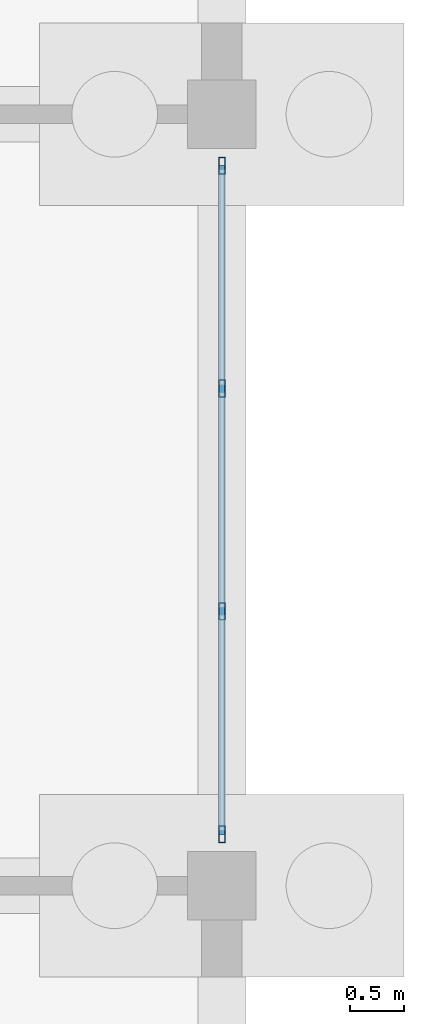
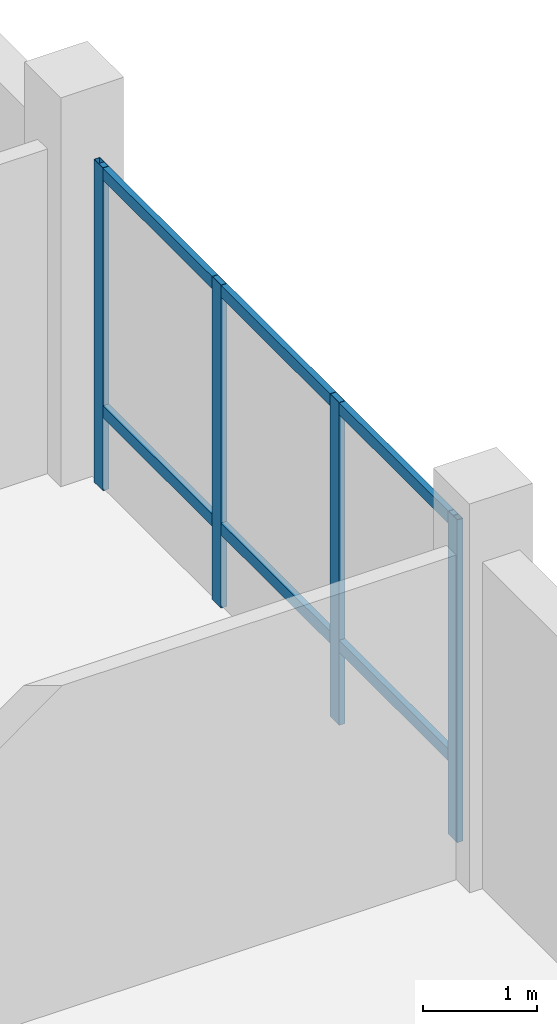
# One storey, part 57 of 98: 6 members, 1 element without a shape of its own.
"""IFC4 building model written with IfcOpenShell, lengths in metres."""

import ifcopenshell
import ifcopenshell.guid

model = None  # the IFC model being written
_history = None  # IfcOwnerHistory: only IFC2X3 demands one
_inside = {}  # id of a spatial element -> (the spatial element, [elements in it])
_under = {}  # id of a project, library or spatial element -> (it, [spatial elements below it])
_declared = {}  # id of a project -> (the project, [libraries it declares])
_typed = {}  # id of a type object -> (the type object, [elements of that type])
_made_of = {}  # id of a material, layer set ... -> (it, [elements and type objects made of it])


def new_model(schema):
    """Start an empty IFC model of exactly this schema.

    Asked for "IFC4X3", IfcOpenShell would pick the latest addendum, in which some entities
    have other attributes; the version numbers below select the first issue.
    IFC2X3 requires an IfcOwnerHistory on every rooted entity: one is made here for all.
    """
    global model, _history
    if schema == "IFC4X3":
        model = ifcopenshell.file(schema_version=(4, 3, 0, 0))
    else:
        model = ifcopenshell.file(schema=schema)
    _inside.clear()
    _under.clear()
    _declared.clear()
    _typed.clear()
    _made_of.clear()
    _history = None
    if model.schema == "IFC2X3":
        org = make("IfcOrganization", Name="unknown")
        user = make(
            "IfcPersonAndOrganization",
            ThePerson=make("IfcPerson", FamilyName="unknown"),
            TheOrganization=org,
        )
        app = make(
            "IfcApplication",
            ApplicationDeveloper=org,
            Version="unknown",
            ApplicationFullName="unknown",
            ApplicationIdentifier="unknown",
        )
        _history = make(
            "IfcOwnerHistory",
            OwningUser=user,
            OwningApplication=app,
            ChangeAction="ADDED",
            CreationDate=0,
        )
    return model


def make(cls, **values):
    """One entity of the class cls with the attributes given. An attribute that is None is left unset."""
    return model.create_entity(
        cls, **{name: value for name, value in values.items() if value is not None}
    )


def rooted(cls, **values):
    """An entity with a GlobalId (a new one), such as an element, a storey or a relation."""
    return make(cls, GlobalId=ifcopenshell.guid.new(), OwnerHistory=_history, **values)


def si_unit(unit_type, name, prefix=None):
    """IfcSIUnit, for example si_unit("LENGTHUNIT", "METRE", prefix="MILLI")."""
    return make("IfcSIUnit", UnitType=unit_type, Prefix=prefix, Name=name)


def assignment(units):
    """IfcUnitAssignment: the units of a project."""
    return None if units is None else make("IfcUnitAssignment", Units=units)


def point(xyz):
    """IfcCartesianPoint."""
    return None if xyz is None else make("IfcCartesianPoint", Coordinates=xyz)


def direction(xyz):
    """IfcDirection."""
    return None if xyz is None else make("IfcDirection", DirectionRatios=xyz)


def frame(location, z_axis=None, x_axis=None):
    """IfcAxis2Placement3D, a coordinate frame: its origin and axes. An axis left out is left unset."""
    return make(
        "IfcAxis2Placement3D",
        Location=point(location),
        Axis=direction(z_axis),
        RefDirection=direction(x_axis),
    )


def frame_2d(location, x_axis=None):
    """IfcAxis2Placement2D, a coordinate frame in the plane: its origin and x axis."""
    return make(
        "IfcAxis2Placement2D", Location=point(location), RefDirection=direction(x_axis)
    )


def origin():
    """The frame at (0, 0, 0) with its axes left unset."""
    return frame((0.0, 0.0, 0.0))


def origin_2d():
    """The frame at (0, 0) in the plane with its x axis left unset."""
    return frame_2d((0.0, 0.0))


def place(relative_to, where):
    """IfcLocalPlacement: puts the frame where relative to a parent placement (None: the world)."""
    return make(
        "IfcLocalPlacement", PlacementRelTo=relative_to, RelativePlacement=where
    )


def context(
    kind, dimensions, precision=None, world=None, true_north=None, identifier=None
):
    """IfcGeometricRepresentationContext, for example the 3D "Model" context."""
    return make(
        "IfcGeometricRepresentationContext",
        ContextIdentifier=identifier,
        ContextType=kind,
        CoordinateSpaceDimension=dimensions,
        Precision=precision,
        WorldCoordinateSystem=world,
        TrueNorth=true_north,
    )


def subcontext(parent, identifier, kind, view, scale=None):
    """IfcGeometricRepresentationSubContext, for example "Body" below "Model"."""
    return make(
        "IfcGeometricRepresentationSubContext",
        ContextIdentifier=identifier,
        ContextType=kind,
        ParentContext=parent,
        TargetScale=scale,
        TargetView=view,
    )


def project(units=None, contexts=None):
    """IfcProject with its units and contexts."""
    return rooted(
        "IfcProject",
        Name="project",
        RepresentationContexts=contexts,
        UnitsInContext=assignment(units),
    )


def spatial(cls, under=None, at=None, **own):
    """A site, building, storey or space (cls), placed at a placement, below another one or the project."""
    s = rooted(cls, ObjectPlacement=at, **own)
    if under is not None:
        _under.setdefault(under.id(), (under, []))[1].append(s)
    return s


def profile(cls, at=None, kind="AREA", **sizes):
    """A parametric profile (cls). Its sizes go by their IFC names, for example OverallWidth=200.0."""
    return make(cls, ProfileType=kind, Position=at, **sizes)


def hollow_rectangle(**sizes):
    """IfcRectangleHollowProfileDef."""
    return profile("IfcRectangleHollowProfileDef", **sizes)


def extrude(swept, where, along, depth):
    """IfcExtrudedAreaSolid: the profile swept, set in the frame where, extruded along a direction by depth."""
    return make(
        "IfcExtrudedAreaSolid",
        SweptArea=swept,
        Position=where,
        ExtrudedDirection=direction(along),
        Depth=depth,
    )


def shape(context_of_items, identifier, shape_type, items):
    """IfcShapeRepresentation: the items that make up one representation, for example the "Body"."""
    return make(
        "IfcShapeRepresentation",
        ContextOfItems=context_of_items,
        RepresentationIdentifier=identifier,
        RepresentationType=shape_type,
        Items=items,
    )


def material(Name=None, Category=None):
    """IfcMaterial."""
    return make("IfcMaterial", Name=Name, Category=Category)


def material_profile(
    of_material, cross_section, Name=None, Category=None, Priority=None
):
    """IfcMaterialProfile: a cross section and its material."""
    return make(
        "IfcMaterialProfile",
        Name=Name,
        Material=of_material,
        Profile=cross_section,
        Priority=Priority,
        Category=Category,
    )


def profile_set(profiles, Name=None, composite=None):
    """IfcMaterialProfileSet."""
    return make(
        "IfcMaterialProfileSet",
        Name=Name,
        MaterialProfiles=profiles,
        CompositeProfile=composite,
    )


def made_of(thing, what):
    """Note that an element or type object is made of a material, layer set ...; save() writes the relation."""
    if what is not None:
        _made_of.setdefault(what.id(), (what, []))[1].append(thing)
    return thing


def type_object(cls, material=None, **own):
    """A type object (cls), such as IfcWallType, which elements share."""
    return made_of(rooted(cls, **own), material)


def element(
    cls,
    number,
    at=None,
    inside=None,
    cuts=None,
    type_object=None,
    material=None,
    context=None,
    identifier="Body",
    shape_type=None,
    held_by="IfcProductDefinitionShape",
    body=None,
    shapes=None,
    **own,
):
    """One element of the class cls, such as IfcWall. Its Tag is "e" and its number.

    at: its placement. inside: the storey or other place that contains it. cuts: it is an
    opening in that element (IfcRelVoidsElement). A single representation is given by context,
    identifier, shape_type and body (its items); several are given by shapes. held_by: the class
    of the entity that holds the representations. save() writes the other relations.
    """
    e = rooted(cls, Tag="e%d" % number, ObjectPlacement=at, **own)
    if body is not None:
        shapes = [shape(context, identifier, shape_type, body)]
    if shapes is not None:
        e.Representation = make(held_by, Representations=shapes)
    if inside is not None:
        _inside.setdefault(inside.id(), (inside, []))[1].append(e)
    if cuts is not None:
        rooted(
            "IfcRelVoidsElement", RelatingBuildingElement=cuts, RelatedOpeningElement=e
        )
    if type_object is not None:
        _typed.setdefault(type_object.id(), (type_object, []))[1].append(e)
    return made_of(e, material)


def aggregate(whole, parts):
    """IfcRelAggregates: a whole, such as a stair, and the parts it consists of."""
    return rooted("IfcRelAggregates", RelatingObject=whole, RelatedObjects=parts)


def save(model, path):
    """Write the relations noted so far, then the file.

    IfcRelAggregates (storeys below a building ...), IfcRelContainedInSpatialStructure (elements
    in a storey), IfcRelDefinesByType, IfcRelAssociatesMaterial and IfcRelDeclares: one each for
    every whole, place, type object, material and project.
    """
    for whole, parts in _under.values():
        aggregate(whole, parts)
    for where, things in _inside.values():
        rooted(
            "IfcRelContainedInSpatialStructure",
            RelatedElements=things,
            RelatingStructure=where,
        )
    for kind, things in _typed.values():
        rooted("IfcRelDefinesByType", RelatedObjects=things, RelatingType=kind)
    for what, things in _made_of.values():
        rooted("IfcRelAssociatesMaterial", RelatedObjects=things, RelatingMaterial=what)
    for by, libraries in _declared.values():
        rooted("IfcRelDeclares", RelatingContext=by, RelatedDefinitions=libraries)
    model.write(path)


model = new_model("IFC4")

# Units and contexts
model_context = context("Model", 3, precision=1e-05, world=origin(), true_north=direction((0.0, 1.0)))
body_context = subcontext(model_context, "Body", "Model", "MODEL_VIEW")
ifc_project = project(units=[si_unit("LENGTHUNIT", "METRE"), si_unit("AREAUNIT", "SQUARE_METRE"), si_unit("VOLUMEUNIT", "CUBIC_METRE"), si_unit("PLANEANGLEUNIT", "RADIAN"), si_unit("MASSUNIT", "GRAM", prefix="KILO")], contexts=[model_context])

# Site, building, storey
site_placement = place(None, origin())
site = spatial("IfcSite", under=ifc_project, at=site_placement, CompositionType="ELEMENT")
building_placement = place(site_placement, origin())
building = spatial("IfcBuilding", under=site, at=building_placement, Name="Zornivar Specialist Clinic", CompositionType="ELEMENT")
storey_placement = place(building_placement, origin())
storey = spatial("IfcBuildingStorey", under=building, at=storey_placement, Name="L00", CompositionType="ELEMENT", Elevation=0.0)

# Curtain wall, members
ifc_material_1 = material(Name="Aluminium and Low-E Glass Curtain Wall", Category="aluminium")
curtain_wall_type = type_object("IfcCurtainWallType", Name="CW-LAB-NORTH", PredefinedType="NOTDEFINED", material=ifc_material_1)
curtain_wall_placement = place(storey_placement, origin())
curtain_wall = element("IfcCurtainWall", 1, at=curtain_wall_placement, inside=storey, type_object=curtain_wall_type, Name="cw:V6:L00:06", PredefinedType="NOTDEFINED")
ifc_material_2 = material(Name="Aluminium AW-6060", Category="aluminium")
ifc_material_profile_1 = material_profile(ifc_material_2, hollow_rectangle(XDim=0.06005859375, YDim=0.159912109375, WallThickness=0.00390625, at=origin_2d()), Name="ALU 60x160x4")
ifc_profile_set_1 = profile_set([ifc_material_profile_1], Name="Aluminium AW-6060")
member_type_1 = type_object("IfcMemberType", Name="CWM-MUL-160", PredefinedType="MULLION", material=ifc_profile_set_1)
member_1_placement = place(storey_placement, frame((165.60009765625, 79.679931640625, 0.0), z_axis=(0.0, 0.0, 1.0), x_axis=(1.0, 0.0, 0.0)))
member_1 = element("IfcMember", 2, at=member_1_placement, type_object=member_type_1, Name="cw:V6:L00:06:mul:0", PredefinedType="MULLION", context=body_context, shape_type="SweptSolid", body=[
    extrude(hollow_rectangle(XDim=0.06005859375, YDim=0.159912109375, WallThickness=0.00390625, at=origin_2d()), origin(), (0.0, 0.0, 1.0), 3.469970703125),
])
member_2_placement = place(storey_placement, frame((165.60009765625, 81.760009765625, 0.0), z_axis=(0.0, 0.0, 1.0), x_axis=(1.0, 0.0, 0.0)))
member_2 = element("IfcMember", 3, at=member_2_placement, type_object=member_type_1, Name="cw:V6:L00:06:mul:1", PredefinedType="MULLION", context=body_context, shape_type="SweptSolid", body=[
    extrude(hollow_rectangle(XDim=0.06005859375, YDim=0.159912109375, WallThickness=0.00390625, at=origin_2d()), origin(), (0.0, 0.0, 1.0), 3.469970703125),
])
member_3_placement = place(storey_placement, frame((165.60009765625, 83.840087890625, 0.0), z_axis=(0.0, 0.0, 1.0), x_axis=(1.0, 0.0, 0.0)))
member_3 = element("IfcMember", 4, at=member_3_placement, type_object=member_type_1, Name="cw:V6:L00:06:mul:2", PredefinedType="MULLION", context=body_context, shape_type="SweptSolid", body=[
    extrude(hollow_rectangle(XDim=0.06005859375, YDim=0.159912109375, WallThickness=0.00390625, at=origin_2d()), origin(), (0.0, 0.0, 1.0), 3.469970703125),
])
member_4_placement = place(storey_placement, frame((165.60009765625, 85.919921875, 0.0), z_axis=(0.0, 0.0, 1.0), x_axis=(1.0, 0.0, 0.0)))
member_4 = element("IfcMember", 5, at=member_4_placement, type_object=member_type_1, Name="cw:V6:L00:06:mul:3", PredefinedType="MULLION", context=body_context, shape_type="SweptSolid", body=[
    extrude(hollow_rectangle(XDim=0.06005859375, YDim=0.159912109375, WallThickness=0.00390625, at=origin_2d()), origin(), (0.0, 0.0, 1.0), 3.469970703125),
])
ifc_material_3 = material(Name="Aluminium AW-6060", Category="aluminium")
ifc_material_profile_2 = material_profile(ifc_material_3, hollow_rectangle(XDim=0.06005859375, YDim=0.1298828125, WallThickness=0.00390625, at=origin_2d()), Name="ALU 60x130x4")
ifc_profile_set_2 = profile_set([ifc_material_profile_2], Name="Aluminium AW-6060")
member_type_2 = type_object("IfcMemberType", Name="CWM-TRN-130", PredefinedType="USERDEFINED", material=ifc_profile_set_2)
member_5_placement = place(storey_placement, frame((165.60009765625, 79.679931640625, 0.85009765625), z_axis=(0.0, 1.0, 0.0), x_axis=(-1.0, 0.0, 0.0)))
member_5 = element("IfcMember", 6, at=member_5_placement, type_object=member_type_2, Name="cw:V6:L00:06:trn:0", ObjectType="TRANSOM", PredefinedType="USERDEFINED", context=body_context, shape_type="SweptSolid", body=[
    extrude(hollow_rectangle(XDim=0.06005859375, YDim=0.1298828125, WallThickness=0.00390625, at=origin_2d()), origin(), (0.0, 0.0, 1.0), 6.239990234375),
])
member_6_placement = place(storey_placement, frame((165.60009765625, 79.679931640625, 3.405029296875), z_axis=(0.0, 1.0, 0.0), x_axis=(-1.0, 0.0, 0.0)))
member_6 = element("IfcMember", 7, at=member_6_placement, type_object=member_type_2, Name="cw:V6:L00:06:trn:1", ObjectType="TRANSOM", PredefinedType="USERDEFINED", context=body_context, shape_type="SweptSolid", body=[
    extrude(hollow_rectangle(XDim=0.06005859375, YDim=0.1298828125, WallThickness=0.00390625, at=origin_2d()), origin(), (0.0, 0.0, 1.0), 6.239990234375),
])
aggregate(curtain_wall, [member_1, member_2, member_3, member_4, member_5, member_6])

save(model, "model.ifc")
